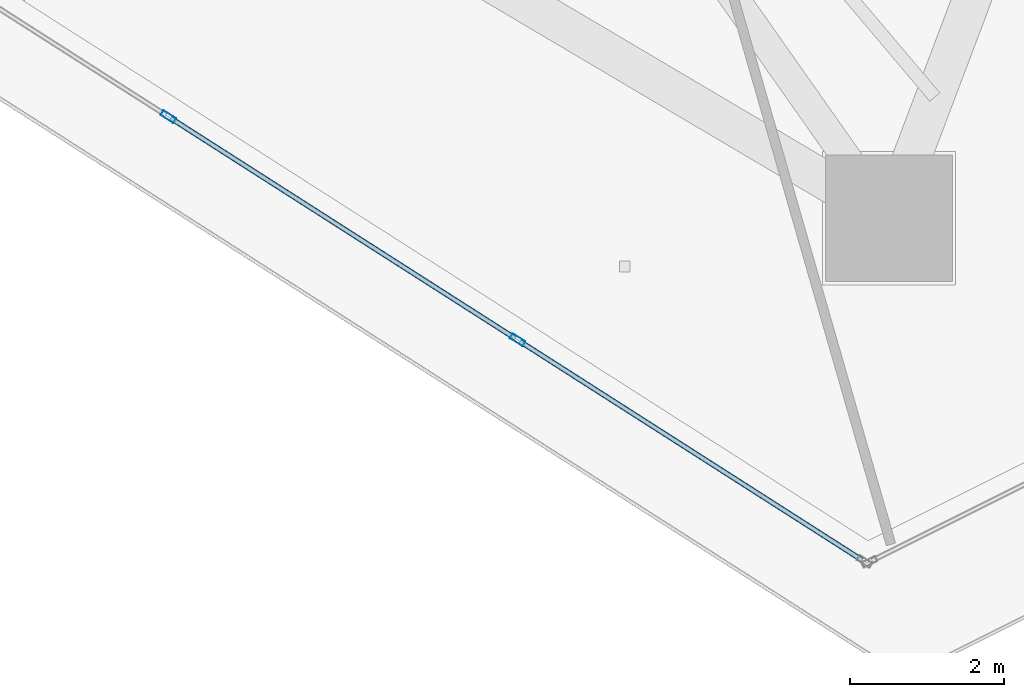
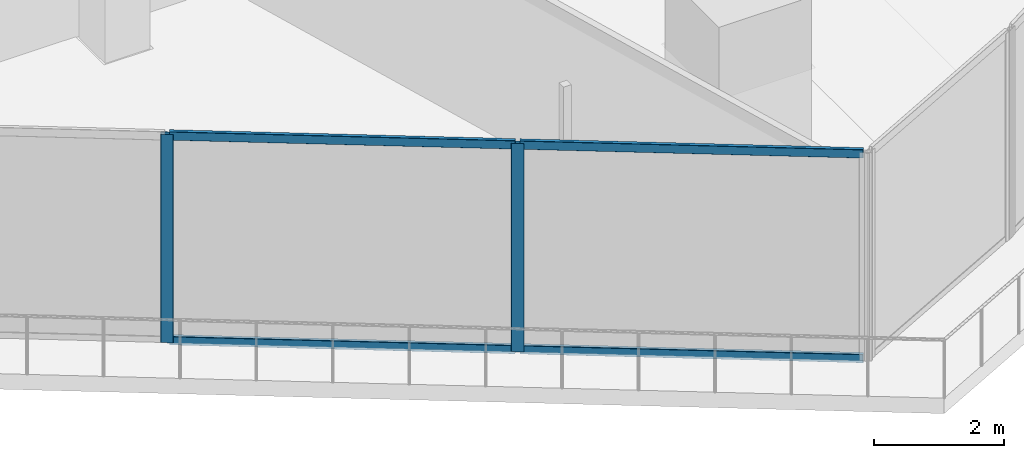
# One storey, part 3 of 31: 6 members, 1 element without a shape of its own.
"""IFC4 building model written with IfcOpenShell, lengths in metres."""

import ifcopenshell
import ifcopenshell.guid

model = None  # the IFC model being written
_history = None  # IfcOwnerHistory: only IFC2X3 demands one
_inside = {}  # id of a spatial element -> (the spatial element, [elements in it])
_under = {}  # id of a project, library or spatial element -> (it, [spatial elements below it])
_declared = {}  # id of a project -> (the project, [libraries it declares])
_typed = {}  # id of a type object -> (the type object, [elements of that type])
_made_of = {}  # id of a material, layer set ... -> (it, [elements and type objects made of it])


def new_model(schema):
    """Start an empty IFC model of exactly this schema.

    Asked for "IFC4X3", IfcOpenShell would pick the latest addendum, in which some entities
    have other attributes; the version numbers below select the first issue.
    IFC2X3 requires an IfcOwnerHistory on every rooted entity: one is made here for all.
    """
    global model, _history
    if schema == "IFC4X3":
        model = ifcopenshell.file(schema_version=(4, 3, 0, 0))
    else:
        model = ifcopenshell.file(schema=schema)
    _inside.clear()
    _under.clear()
    _declared.clear()
    _typed.clear()
    _made_of.clear()
    _history = None
    if model.schema == "IFC2X3":
        org = make("IfcOrganization", Name="unknown")
        user = make(
            "IfcPersonAndOrganization",
            ThePerson=make("IfcPerson", FamilyName="unknown"),
            TheOrganization=org,
        )
        app = make(
            "IfcApplication",
            ApplicationDeveloper=org,
            Version="unknown",
            ApplicationFullName="unknown",
            ApplicationIdentifier="unknown",
        )
        _history = make(
            "IfcOwnerHistory",
            OwningUser=user,
            OwningApplication=app,
            ChangeAction="ADDED",
            CreationDate=0,
        )
    return model


def make(cls, **values):
    """One entity of the class cls with the attributes given. An attribute that is None is left unset."""
    return model.create_entity(
        cls, **{name: value for name, value in values.items() if value is not None}
    )


def rooted(cls, **values):
    """An entity with a GlobalId (a new one), such as an element, a storey or a relation."""
    return make(cls, GlobalId=ifcopenshell.guid.new(), OwnerHistory=_history, **values)


def si_unit(unit_type, name, prefix=None):
    """IfcSIUnit, for example si_unit("LENGTHUNIT", "METRE", prefix="MILLI")."""
    return make("IfcSIUnit", UnitType=unit_type, Prefix=prefix, Name=name)


def assignment(units):
    """IfcUnitAssignment: the units of a project."""
    return None if units is None else make("IfcUnitAssignment", Units=units)


def point(xyz):
    """IfcCartesianPoint."""
    return None if xyz is None else make("IfcCartesianPoint", Coordinates=xyz)


def direction(xyz):
    """IfcDirection."""
    return None if xyz is None else make("IfcDirection", DirectionRatios=xyz)


def frame(location, z_axis=None, x_axis=None):
    """IfcAxis2Placement3D, a coordinate frame: its origin and axes. An axis left out is left unset."""
    return make(
        "IfcAxis2Placement3D",
        Location=point(location),
        Axis=direction(z_axis),
        RefDirection=direction(x_axis),
    )


def frame_2d(location, x_axis=None):
    """IfcAxis2Placement2D, a coordinate frame in the plane: its origin and x axis."""
    return make(
        "IfcAxis2Placement2D", Location=point(location), RefDirection=direction(x_axis)
    )


def origin():
    """The frame at (0, 0, 0) with its axes left unset."""
    return frame((0.0, 0.0, 0.0))


def origin_2d():
    """The frame at (0, 0) in the plane with its x axis left unset."""
    return frame_2d((0.0, 0.0))


def place(relative_to, where):
    """IfcLocalPlacement: puts the frame where relative to a parent placement (None: the world)."""
    return make(
        "IfcLocalPlacement", PlacementRelTo=relative_to, RelativePlacement=where
    )


def context(
    kind, dimensions, precision=None, world=None, true_north=None, identifier=None
):
    """IfcGeometricRepresentationContext, for example the 3D "Model" context."""
    return make(
        "IfcGeometricRepresentationContext",
        ContextIdentifier=identifier,
        ContextType=kind,
        CoordinateSpaceDimension=dimensions,
        Precision=precision,
        WorldCoordinateSystem=world,
        TrueNorth=true_north,
    )


def subcontext(parent, identifier, kind, view, scale=None):
    """IfcGeometricRepresentationSubContext, for example "Body" below "Model"."""
    return make(
        "IfcGeometricRepresentationSubContext",
        ContextIdentifier=identifier,
        ContextType=kind,
        ParentContext=parent,
        TargetScale=scale,
        TargetView=view,
    )


def project(units=None, contexts=None):
    """IfcProject with its units and contexts."""
    return rooted(
        "IfcProject",
        Name="project",
        RepresentationContexts=contexts,
        UnitsInContext=assignment(units),
    )


def spatial(cls, under=None, at=None, **own):
    """A site, building, storey or space (cls), placed at a placement, below another one or the project."""
    s = rooted(cls, ObjectPlacement=at, **own)
    if under is not None:
        _under.setdefault(under.id(), (under, []))[1].append(s)
    return s


def profile(cls, at=None, kind="AREA", **sizes):
    """A parametric profile (cls). Its sizes go by their IFC names, for example OverallWidth=200.0."""
    return make(cls, ProfileType=kind, Position=at, **sizes)


def hollow_rectangle(**sizes):
    """IfcRectangleHollowProfileDef."""
    return profile("IfcRectangleHollowProfileDef", **sizes)


def extrude(swept, where, along, depth):
    """IfcExtrudedAreaSolid: the profile swept, set in the frame where, extruded along a direction by depth."""
    return make(
        "IfcExtrudedAreaSolid",
        SweptArea=swept,
        Position=where,
        ExtrudedDirection=direction(along),
        Depth=depth,
    )


def shape(context_of_items, identifier, shape_type, items):
    """IfcShapeRepresentation: the items that make up one representation, for example the "Body"."""
    return make(
        "IfcShapeRepresentation",
        ContextOfItems=context_of_items,
        RepresentationIdentifier=identifier,
        RepresentationType=shape_type,
        Items=items,
    )


def material(Name=None, Category=None):
    """IfcMaterial."""
    return make("IfcMaterial", Name=Name, Category=Category)


def layer(
    of_material, thickness, ventilated=None, Name=None, Category=None, Priority=None
):
    """IfcMaterialLayer: one layer of a wall or slab, of a material (None: an air gap)."""
    return make(
        "IfcMaterialLayer",
        Material=of_material,
        LayerThickness=thickness,
        IsVentilated=ventilated,
        Name=Name,
        Category=Category,
        Priority=Priority,
    )


def layer_set(layers, Name=None):
    """IfcMaterialLayerSet."""
    return make("IfcMaterialLayerSet", MaterialLayers=layers, LayerSetName=Name)


def material_profile(
    of_material, cross_section, Name=None, Category=None, Priority=None
):
    """IfcMaterialProfile: a cross section and its material."""
    return make(
        "IfcMaterialProfile",
        Name=Name,
        Material=of_material,
        Profile=cross_section,
        Priority=Priority,
        Category=Category,
    )


def profile_set(profiles, Name=None, composite=None):
    """IfcMaterialProfileSet."""
    return make(
        "IfcMaterialProfileSet",
        Name=Name,
        MaterialProfiles=profiles,
        CompositeProfile=composite,
    )


def made_of(thing, what):
    """Note that an element or type object is made of a material, layer set ...; save() writes the relation."""
    if what is not None:
        _made_of.setdefault(what.id(), (what, []))[1].append(thing)
    return thing


def type_object(cls, material=None, **own):
    """A type object (cls), such as IfcWallType, which elements share."""
    return made_of(rooted(cls, **own), material)


def element(
    cls,
    number,
    at=None,
    inside=None,
    cuts=None,
    type_object=None,
    material=None,
    context=None,
    identifier="Body",
    shape_type=None,
    held_by="IfcProductDefinitionShape",
    body=None,
    shapes=None,
    **own,
):
    """One element of the class cls, such as IfcWall. Its Tag is "e" and its number.

    at: its placement. inside: the storey or other place that contains it. cuts: it is an
    opening in that element (IfcRelVoidsElement). A single representation is given by context,
    identifier, shape_type and body (its items); several are given by shapes. held_by: the class
    of the entity that holds the representations. save() writes the other relations.
    """
    e = rooted(cls, Tag="e%d" % number, ObjectPlacement=at, **own)
    if body is not None:
        shapes = [shape(context, identifier, shape_type, body)]
    if shapes is not None:
        e.Representation = make(held_by, Representations=shapes)
    if inside is not None:
        _inside.setdefault(inside.id(), (inside, []))[1].append(e)
    if cuts is not None:
        rooted(
            "IfcRelVoidsElement", RelatingBuildingElement=cuts, RelatedOpeningElement=e
        )
    if type_object is not None:
        _typed.setdefault(type_object.id(), (type_object, []))[1].append(e)
    return made_of(e, material)


def aggregate(whole, parts):
    """IfcRelAggregates: a whole, such as a stair, and the parts it consists of."""
    return rooted("IfcRelAggregates", RelatingObject=whole, RelatedObjects=parts)


def save(model, path):
    """Write the relations noted so far, then the file.

    IfcRelAggregates (storeys below a building ...), IfcRelContainedInSpatialStructure (elements
    in a storey), IfcRelDefinesByType, IfcRelAssociatesMaterial and IfcRelDeclares: one each for
    every whole, place, type object, material and project.
    """
    for whole, parts in _under.values():
        aggregate(whole, parts)
    for where, things in _inside.values():
        rooted(
            "IfcRelContainedInSpatialStructure",
            RelatedElements=things,
            RelatingStructure=where,
        )
    for kind, things in _typed.values():
        rooted("IfcRelDefinesByType", RelatedObjects=things, RelatingType=kind)
    for what, things in _made_of.values():
        rooted("IfcRelAssociatesMaterial", RelatedObjects=things, RelatingMaterial=what)
    for by, libraries in _declared.values():
        rooted("IfcRelDeclares", RelatingContext=by, RelatedDefinitions=libraries)
    model.write(path)


model = new_model("IFC4")

# Units and contexts
model_context = context("Model", 3, precision=1e-05, world=origin(), true_north=direction((0.0, 1.0)))
body_context = subcontext(model_context, "Body", "Model", "MODEL_VIEW")
ifc_project = project(units=[si_unit("LENGTHUNIT", "METRE"), si_unit("AREAUNIT", "SQUARE_METRE"), si_unit("VOLUMEUNIT", "CUBIC_METRE"), si_unit("PLANEANGLEUNIT", "RADIAN"), si_unit("MASSUNIT", "GRAM", prefix="KILO")], contexts=[model_context])

# Site, building, storey
site_placement = place(None, origin())
site = spatial("IfcSite", under=ifc_project, at=site_placement, CompositionType="ELEMENT")
building_placement = place(site_placement, origin())
building = spatial("IfcBuilding", under=site, at=building_placement, Name="Qorvath Tower", CompositionType="ELEMENT")
storey_placement = place(building_placement, frame((0.0, 0.0, 264.0)))
storey = spatial("IfcBuildingStorey", under=building, at=storey_placement, Name="L61", CompositionType="ELEMENT", Elevation=264.0)

# Curtain wall, members
ifc_material_1 = material(Name="Anodised aluminium and triple low-E glass", Category="aluminium")
ifc_layer = layer(ifc_material_1, 0.179931640625)
ifc_layer_set = layer_set([ifc_layer], Name="CW-SYS-4")
curtain_wall_type = type_object("IfcCurtainWallType", Name="CW-SYS-4", PredefinedType="NOTDEFINED", material=ifc_layer_set)
curtain_wall_placement = place(storey_placement, origin())
curtain_wall = element("IfcCurtainWall", 1, at=curtain_wall_placement, inside=storey, type_object=curtain_wall_type, Name="Curtain Wall CW-4 CW-T-L61-2.2", PredefinedType="NOTDEFINED")
ifc_material_2 = material(Name="Anodised aluminium 6063-T6", Category="aluminium")
ifc_material_profile_1 = material_profile(ifc_material_2, hollow_rectangle(XDim=0.074951171875, YDim=0.199951171875, WallThickness=0.00390625, InnerFilletRadius=0.00390625, OuterFilletRadius=0.008056640625, at=origin_2d()), Name="CWM 200x75")
ifc_profile_set_1 = profile_set([ifc_material_profile_1], Name="Anodised aluminium 6063-T6")
member_type_1 = type_object("IfcMemberType", Name="CWM-200", PredefinedType="MULLION", material=ifc_profile_set_1)
member_1_placement = place(storey_placement, frame((-26.8984375, -18.779296875, 0.0), z_axis=(0.0, 0.0, 1.0), x_axis=(0.538536275061, 0.842602326393, 0.0)))
member_1 = element("IfcMember", 2, at=member_1_placement, type_object=member_type_1, Name="CW-4 mullion 3", PredefinedType="MULLION", context=body_context, shape_type="SweptSolid", body=[
    extrude(hollow_rectangle(XDim=0.074951171875, YDim=0.199951171875, WallThickness=0.00390625, InnerFilletRadius=0.00390625, OuterFilletRadius=0.008056640625, at=origin_2d()), origin(), (0.0, 0.0, 1.0), 3.909912109375),
])
member_2_placement = place(storey_placement, frame((-22.3505859375, -21.68603515625, 0.0), z_axis=(0.0, 0.0, 1.0), x_axis=(0.538536275061, 0.842602326393, 0.0)))
member_2 = element("IfcMember", 3, at=member_2_placement, type_object=member_type_1, Name="CW-4 mullion 4", PredefinedType="MULLION", context=body_context, shape_type="SweptSolid", body=[
    extrude(hollow_rectangle(XDim=0.074951171875, YDim=0.199951171875, WallThickness=0.00390625, InnerFilletRadius=0.00390625, OuterFilletRadius=0.008056640625, at=origin_2d()), origin(), (0.0, 0.0, 1.0), 3.909912109375),
])
ifc_material_3 = material(Name="Anodised aluminium 6063-T6", Category="aluminium")
ifc_material_profile_2 = material_profile(ifc_material_3, hollow_rectangle(XDim=0.06494140625, YDim=0.159912109375, WallThickness=0.00341796875, InnerFilletRadius=0.00341796875, OuterFilletRadius=0.007080078125, at=origin_2d()), Name="CWT 160x65")
ifc_profile_set_2 = profile_set([ifc_material_profile_2], Name="Anodised aluminium 6063-T6")
member_type_2 = type_object("IfcMemberType", Name="CWT-160", PredefinedType="USERDEFINED", material=ifc_profile_set_2)
member_3_placement = place(storey_placement, frame((-26.866943359375, -18.79931640625, 0.032470703125), z_axis=(0.842600287474, -0.538539465173, 0.0), x_axis=(0.538539465173, 0.842600287474, 0.0)))
member_3 = element("IfcMember", 4, at=member_3_placement, type_object=member_type_2, Name="CW-4 transom 3.1", ObjectType="TRANSOM", PredefinedType="USERDEFINED", context=body_context, shape_type="SweptSolid", body=[
    extrude(hollow_rectangle(XDim=0.06494140625, YDim=0.159912109375, WallThickness=0.00341796875, InnerFilletRadius=0.00341796875, OuterFilletRadius=0.007080078125, at=origin_2d()), origin(), (0.0, 0.0, 1.0), 5.32275390625),
])
member_4_placement = place(storey_placement, frame((-26.866943359375, -18.79931640625, 3.87744140625), z_axis=(0.842600287474, -0.538539465173, 0.0), x_axis=(0.538539465173, 0.842600287474, 0.0)))
member_4 = element("IfcMember", 5, at=member_4_placement, type_object=member_type_2, Name="CW-4 transom 3.2", ObjectType="TRANSOM", PredefinedType="USERDEFINED", context=body_context, shape_type="SweptSolid", body=[
    extrude(hollow_rectangle(XDim=0.06494140625, YDim=0.159912109375, WallThickness=0.00341796875, InnerFilletRadius=0.00341796875, OuterFilletRadius=0.007080078125, at=origin_2d()), origin(), (0.0, 0.0, 1.0), 5.32275390625),
])
member_5_placement = place(storey_placement, frame((-22.31884765625, -21.706298828125, 0.032470703125), z_axis=(0.842598438878, -0.53854235748, 0.0), x_axis=(0.53854235748, 0.842598438878, 0.0)))
member_5 = element("IfcMember", 6, at=member_5_placement, type_object=member_type_2, Name="CW-4 transom 4.1", ObjectType="TRANSOM", PredefinedType="USERDEFINED", context=body_context, shape_type="SweptSolid", body=[
    extrude(hollow_rectangle(XDim=0.06494140625, YDim=0.159912109375, WallThickness=0.00341796875, InnerFilletRadius=0.00341796875, OuterFilletRadius=0.007080078125, at=origin_2d()), origin(), (0.0, 0.0, 1.0), 5.284912109375),
])
member_6_placement = place(storey_placement, frame((-22.31884765625, -21.706298828125, 3.87744140625), z_axis=(0.842598438878, -0.53854235748, 0.0), x_axis=(0.53854235748, 0.842598438878, 0.0)))
member_6 = element("IfcMember", 7, at=member_6_placement, type_object=member_type_2, Name="CW-4 transom 4.2", ObjectType="TRANSOM", PredefinedType="USERDEFINED", context=body_context, shape_type="SweptSolid", body=[
    extrude(hollow_rectangle(XDim=0.06494140625, YDim=0.159912109375, WallThickness=0.00341796875, InnerFilletRadius=0.00341796875, OuterFilletRadius=0.007080078125, at=origin_2d()), origin(), (0.0, 0.0, 1.0), 5.284912109375),
])
aggregate(curtain_wall, [member_1, member_2, member_3, member_4, member_5, member_6])

save(model, "model.ifc")
